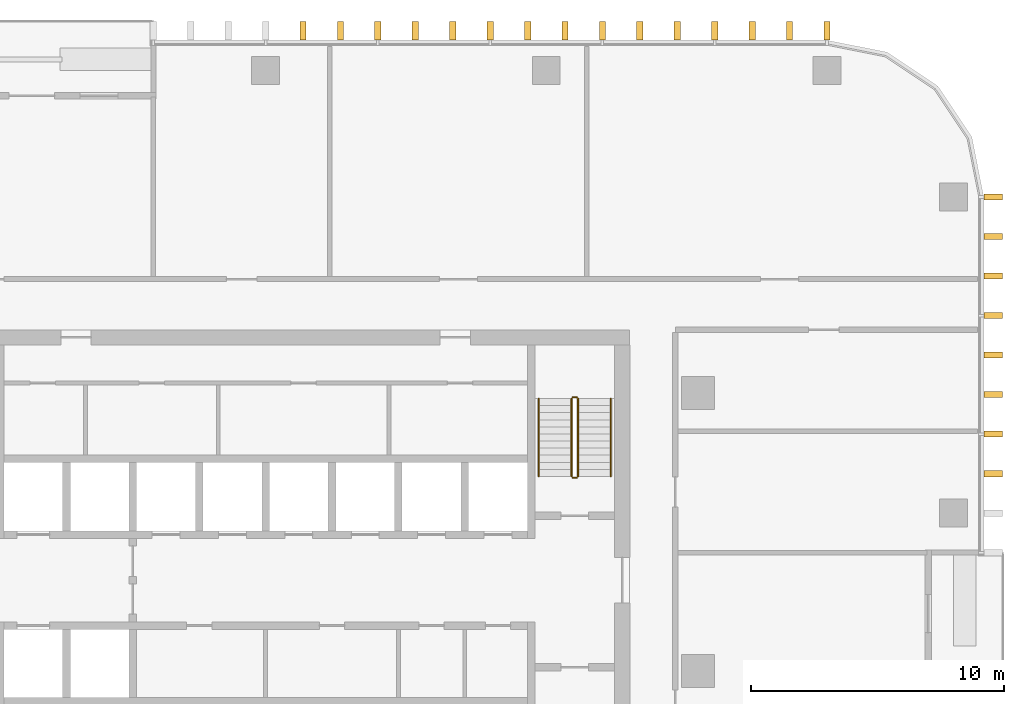
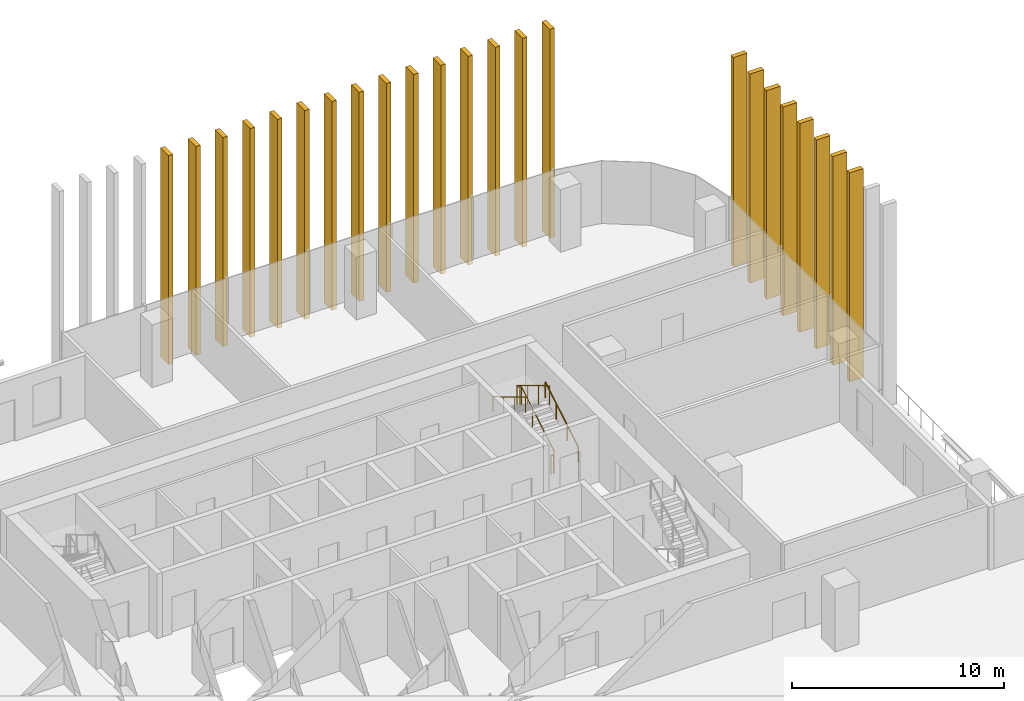
# One storey, part 15 of 15: 23 shading devices, 5 railings.
"""IFC4 building model written with IfcOpenShell, lengths in metres."""

from ifc_helpers import new_model, si_unit, direction, frame, origin, origin_2d, place, context, subcontext, project, spatial, rectangle, circle, extrude, material, type_object, element, save


model = new_model("IFC4")

# Units and contexts
model_context = context("Model", 3, precision=1e-05, world=origin(), true_north=direction((0.0, 1.0)))
body_context = subcontext(model_context, "Body", "Model", "MODEL_VIEW")
ifc_project = project(units=[si_unit("LENGTHUNIT", "METRE"), si_unit("AREAUNIT", "SQUARE_METRE"), si_unit("VOLUMEUNIT", "CUBIC_METRE"), si_unit("PLANEANGLEUNIT", "RADIAN"), si_unit("MASSUNIT", "GRAM", prefix="KILO")], contexts=[model_context])

# Site, building, storey
site_placement = place(None, origin())
site = spatial("IfcSite", under=ifc_project, at=site_placement, CompositionType="ELEMENT")
building_placement = place(site_placement, origin())
building = spatial("IfcBuilding", under=site, at=building_placement, Name="Mopane Tessera Tower", CompositionType="ELEMENT")
storey_placement = place(building_placement, frame((0.0, 0.0, 211.0)))
storey = spatial("IfcBuildingStorey", under=building, at=storey_placement, Name="L44", CompositionType="ELEMENT", Elevation=211.0)

# Shading devices
ifc_material_1 = material(Name="Glazed ceramic tile")
shading_device_type = type_object("IfcShadingDeviceType", Name="Ceramic tile fin 750 x 250 mm", PredefinedType="USERDEFINED", material=ifc_material_1)
for number, where, z_axis, x_axis, name in (
    (1, (28.77490234375, 7.8125, -0.39990234375), (0.0, 0.0, 1.0), (0.0, 1.0, 0.0), "e:fin:L44:E:5:2"),
    (2, (28.77490234375, 9.375, -0.39990234375), (0.0, 0.0, 1.0), (0.0, 1.0, 0.0), "e:fin:L44:E:6:0"),
    (3, (28.77490234375, 10.9375, -0.39990234375), (0.0, 0.0, 1.0), (0.0, 1.0, 0.0), "e:fin:L44:E:6:1"),
    (4, (28.77490234375, 12.5, -0.39990234375), (0.0, 0.0, 1.0), (0.0, 1.0, 0.0), "e:fin:L44:E:6:2"),
    (5, (28.77490234375, 14.0625, -0.39990234375), (0.0, 0.0, 1.0), (0.0, 1.0, 0.0), "e:fin:L44:E:7:0"),
    (6, (28.77490234375, 15.625, -0.39990234375), (0.0, 0.0, 1.0), (0.0, 1.0, 0.0), "e:fin:L44:E:7:1"),
    (7, (28.77490234375, 17.1875, -0.39990234375), (0.0, 0.0, 1.0), (0.0, 1.0, 0.0), "e:fin:L44:E:7:2"),
    (8, (28.77490234375, 18.75, -0.39990234375), (0.0, 0.0, 1.0), (0.0, 1.0, 0.0), "e:fin:L44:E:7:3"),
    (9, (22.199951171875, 25.324951171875, -0.39990234375), (0.0, 0.0, 1.0), (-1.0, 0.0, 0.0), "e:fin:L44:N:0:0"),
    (10, (20.719970703125, 25.324951171875, -0.39990234375), (0.0, 0.0, 1.0), (-1.0, 0.0, 0.0), "e:fin:L44:N:0:1"),
    (11, (19.239990234375, 25.324951171875, -0.39990234375), (0.0, 0.0, 1.0), (-1.0, 0.0, 0.0), "e:fin:L44:N:0:2"),
    (12, (17.760009765625, 25.324951171875, -0.39990234375), (0.0, 0.0, 1.0), (-1.0, 0.0, 0.0), "e:fin:L44:N:1:0"),
    (13, (16.280029296875, 25.324951171875, -0.39990234375), (0.0, 0.0, 1.0), (-1.0, 0.0, 0.0), "e:fin:L44:N:1:1"),
    (14, (14.800048828125, 25.324951171875, -0.39990234375), (0.0, 0.0, 1.0), (-1.0, 0.0, 0.0), "e:fin:L44:N:1:2"),
    (15, (13.320068359375, 25.324951171875, -0.39990234375), (0.0, 0.0, 1.0), (-1.0, 0.0, 0.0), "e:fin:L44:N:2:0"),
    (16, (11.840087890625, 25.324951171875, -0.39990234375), (0.0, 0.0, 1.0), (-1.0, 0.0, 0.0), "e:fin:L44:N:2:1"),
    (17, (10.360107421875, 25.324951171875, -0.39990234375), (0.0, 0.0, 1.0), (-1.0, 0.0, 0.0), "e:fin:L44:N:2:2"),
    (18, (8.8798828125, 25.324951171875, -0.39990234375), (0.0, 0.0, 1.0), (-1.0, 0.0, 0.0), "e:fin:L44:N:3:0"),
    (19, (7.39990234375, 25.324951171875, -0.39990234375), (0.0, 0.0, 1.0), (-1.0, 0.0, 0.0), "e:fin:L44:N:3:1"),
    (20, (5.919921875, 25.324951171875, -0.39990234375), (0.0, 0.0, 1.0), (-1.0, 0.0, 0.0), "e:fin:L44:N:3:2"),
    (21, (4.43994140625, 25.324951171875, -0.39990234375), (0.0, 0.0, 1.0), (-1.0, 0.0, 0.0), "e:fin:L44:N:4:0"),
    (22, (2.9599609375, 25.324951171875, -0.39990234375), (0.0, 0.0, 1.0), (-1.0, 0.0, 0.0), "e:fin:L44:N:4:1"),
    (23, (1.47998046875, 25.324951171875, -0.39990234375), (0.0, 0.0, 1.0), (-1.0, 0.0, 0.0), "e:fin:L44:N:4:2"),
):
    element("IfcShadingDevice", number, at=place(storey_placement, frame(where, z_axis=z_axis, x_axis=x_axis)), inside=storey, type_object=shading_device_type, Name=name, ObjectType="FIN", PredefinedType="USERDEFINED", context=body_context, shape_type="SweptSolid", body=[
        extrude(rectangle(XDim=0.25, YDim=0.75, at=origin_2d()), origin(), (0.0, 0.0, 1.0), 12.0),
    ])

# Railings
ifc_material_2 = material(Name="Powder-coated steel balustrade", Category="steel")
railing_type_1 = type_object("IfcRailingType", Name="Escape stair guard 1100 mm", PredefinedType="GUARDRAIL", material=ifc_material_2)
railing_1_placement = place(storey_placement, frame((12.35009765625, 7.699951171875, 0.166748046875)))
element("IfcRailing", 24, at=railing_1_placement, inside=storey, type_object=railing_type_1, Name="L44 ST4 stair guard 1", PredefinedType="GUARDRAIL", context=body_context, shape_type="SweptSolid", body=[
    extrude(circle(Radius=0.02392578125, at=origin_2d()), frame((0.0, 0.0, 1.076171875), z_axis=(0.0, 0.859308565015, 0.511457515432), x_axis=(-1.0, 0.0, 0.0)), (0.0, 0.0, 1.0), 3.58447265625),
    extrude(circle(Radius=0.02392578125, at=origin_2d()), frame((0.0, 3.080078125, 2.9091796875), z_axis=(-0.707106781187, 0.707106781187, 0.0), x_axis=(-0.707106781187, -0.707106781187, 0.0)), (0.0, 0.0, 1.0), 0.07080078125),
    extrude(circle(Radius=0.02392578125, at=origin_2d()), frame((-0.050048828125, 3.130126953125, 2.9091796875), z_axis=(-1.0, 0.0, 0.0), x_axis=(0.0, -1.0, 0.0)), (0.0, 0.0, 1.0), 0.150146484375),
    extrude(circle(Radius=0.02099609375, at=origin_2d()), origin(), (0.0, 0.0, 1.0), 1.052001953125),
    extrude(circle(Radius=0.02099609375, at=origin_2d()), frame((0.0, 1.026611328125, 0.611083984375)), (0.0, 0.0, 1.0), 1.052001953125),
    extrude(circle(Radius=0.02099609375, at=origin_2d()), frame((0.0, 2.053466796875, 1.22216796875)), (0.0, 0.0, 1.0), 1.052001953125),
    extrude(circle(Radius=0.02099609375, at=origin_2d()), frame((0.0, 3.080078125, 1.833251953125)), (0.0, 0.0, 1.0), 1.052001953125),
    extrude(circle(Radius=0.02099609375, at=origin_2d()), frame((-0.050048828125, 3.130126953125, 1.833251953125)), (0.0, 0.0, 1.0), 1.052001953125),
    extrude(circle(Radius=0.02099609375, at=origin_2d()), frame((-0.2001953125, 3.130126953125, 1.833251953125)), (0.0, 0.0, 1.0), 1.052001953125),
])
railing_2_placement = place(storey_placement, frame((12.10009765625, 10.780029296875, 2.166748046875)))
element("IfcRailing", 25, at=railing_2_placement, inside=storey, type_object=railing_type_1, Name="L44 ST4 stair guard 2", PredefinedType="GUARDRAIL", context=body_context, shape_type="SweptSolid", body=[
    extrude(circle(Radius=0.02392578125, at=origin_2d()), frame((0.0, 0.0, 1.076171875), z_axis=(0.0, -0.859308565015, 0.511457515432), x_axis=(1.0, 0.0, 0.0)), (0.0, 0.0, 1.0), 3.58447265625),
    extrude(circle(Radius=0.02099609375, at=origin_2d()), origin(), (0.0, 0.0, 1.0), 1.052001953125),
    extrude(circle(Radius=0.02099609375, at=origin_2d()), frame((0.0, -1.026611328125, 0.611083984375)), (0.0, 0.0, 1.0), 1.052001953125),
    extrude(circle(Radius=0.02099609375, at=origin_2d()), frame((0.0, -2.053466796875, 1.22216796875)), (0.0, 0.0, 1.0), 1.052001953125),
    extrude(circle(Radius=0.02099609375, at=origin_2d()), frame((0.0, -3.080078125, 1.833251953125)), (0.0, 0.0, 1.0), 1.052001953125),
])
railing_3_placement = place(storey_placement, frame((12.300048828125, 7.64990234375, 0.0)))
element("IfcRailing", 26, at=railing_3_placement, inside=storey, type_object=railing_type_1, Name="L44 ST4 stair guard 3", PredefinedType="GUARDRAIL", context=body_context, shape_type="SweptSolid", body=[
    extrude(circle(Radius=0.02392578125, at=origin_2d()), frame((0.0, 0.0, 1.076171875), z_axis=(-1.0, 0.0, 0.0), x_axis=(0.0, -1.0, 0.0)), (0.0, 0.0, 1.0), 0.150146484375),
    extrude(circle(Radius=0.02099609375, at=origin_2d()), origin(), (0.0, 0.0, 1.0), 1.052001953125),
    extrude(circle(Radius=0.02099609375, at=origin_2d()), frame((-0.150146484375, 0.0, 0.0)), (0.0, 0.0, 1.0), 1.052001953125),
])
ifc_material_3 = material(Name="Powder-coated steel balustrade", Category="steel")
railing_type_2 = type_object("IfcRailingType", Name="Escape stair handrail 900 mm", PredefinedType="HANDRAIL", material=ifc_material_3)
railing_4_placement = place(storey_placement, frame((13.64990234375, 7.699951171875, 0.166748046875)))
element("IfcRailing", 27, at=railing_4_placement, inside=storey, type_object=railing_type_2, Name="L44 ST4 stair handrail 1", PredefinedType="HANDRAIL", context=body_context, shape_type="SweptSolid", body=[
    extrude(circle(Radius=0.02392578125, at=origin_2d()), frame((0.0, 0.0, 0.8759765625), z_axis=(0.0, 0.859308565015, 0.511457515432), x_axis=(-1.0, 0.0, 0.0)), (0.0, 0.0, 1.0), 3.58447265625),
    extrude(circle(Radius=0.02099609375, at=origin_2d()), origin(), (0.0, 0.0, 1.0), 0.851806640625),
    extrude(circle(Radius=0.02099609375, at=origin_2d()), frame((0.0, 1.026611328125, 0.611083984375)), (0.0, 0.0, 1.0), 0.851806640625),
    extrude(circle(Radius=0.02099609375, at=origin_2d()), frame((0.0, 2.053466796875, 1.22216796875)), (0.0, 0.0, 1.0), 0.851806640625),
    extrude(circle(Radius=0.02099609375, at=origin_2d()), frame((0.0, 3.080078125, 1.833251953125)), (0.0, 0.0, 1.0), 0.851806640625),
])
railing_5_placement = place(storey_placement, frame((10.800048828125, 10.780029296875, 2.166748046875)))
element("IfcRailing", 28, at=railing_5_placement, inside=storey, type_object=railing_type_2, Name="L44 ST4 stair handrail 2", PredefinedType="HANDRAIL", context=body_context, shape_type="SweptSolid", body=[
    extrude(circle(Radius=0.02392578125, at=origin_2d()), frame((0.0, 0.0, 0.8759765625), z_axis=(0.0, -0.859308565015, 0.511457515432), x_axis=(1.0, 0.0, 0.0)), (0.0, 0.0, 1.0), 3.58447265625),
    extrude(circle(Radius=0.02099609375, at=origin_2d()), origin(), (0.0, 0.0, 1.0), 0.851806640625),
    extrude(circle(Radius=0.02099609375, at=origin_2d()), frame((0.0, -1.026611328125, 0.611083984375)), (0.0, 0.0, 1.0), 0.851806640625),
    extrude(circle(Radius=0.02099609375, at=origin_2d()), frame((0.0, -2.053466796875, 1.22216796875)), (0.0, 0.0, 1.0), 0.851806640625),
    extrude(circle(Radius=0.02099609375, at=origin_2d()), frame((0.0, -3.080078125, 1.833251953125)), (0.0, 0.0, 1.0), 0.851806640625),
])

save(model, "model.ifc")
